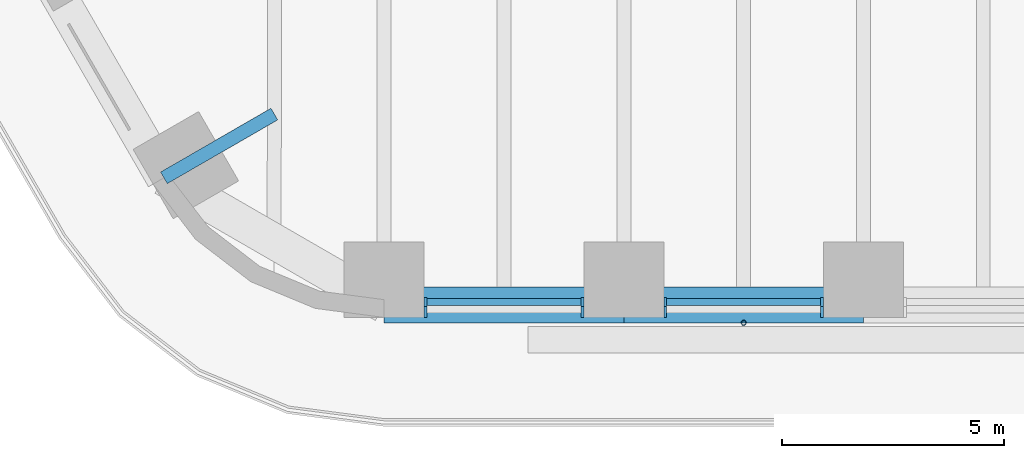
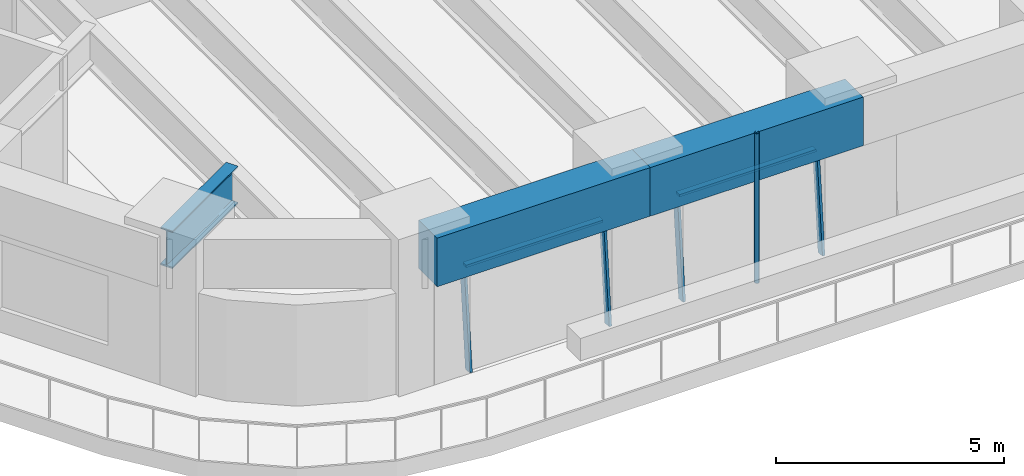
# One storey, part 2 of 23: 7 members, 3 beams, 2 elements without a shape of their own.
"""IFC4 building model written with IfcOpenShell, lengths in metres."""

from ifc_helpers import new_model, si_unit, direction, frame, origin, origin_2d, place, context, subcontext, project, spatial, rectangle, hollow_circle, i_section, extrude, material, material_profile, profile_set, type_object, element, aggregate, save


model = new_model("IFC4")

# Units and contexts
model_context = context("Model", 3, precision=1e-05, world=origin(), true_north=direction((0.0, 1.0)))
body_context = subcontext(model_context, "Body", "Model", "MODEL_VIEW")
ifc_project = project(units=[si_unit("LENGTHUNIT", "METRE"), si_unit("AREAUNIT", "SQUARE_METRE"), si_unit("VOLUMEUNIT", "CUBIC_METRE"), si_unit("PLANEANGLEUNIT", "RADIAN"), si_unit("MASSUNIT", "GRAM", prefix="KILO")], contexts=[model_context])

# Site, building, storey
site_placement = place(None, origin())
site = spatial("IfcSite", under=ifc_project, at=site_placement, CompositionType="ELEMENT")
building_placement = place(site_placement, origin())
building = spatial("IfcBuilding", under=site, at=building_placement, Name="Tarfa Lantern Tower", CompositionType="ELEMENT")
storey_placement = place(building_placement, frame((0.0, 0.0, 86.5)))
storey = spatial("IfcBuildingStorey", under=building, at=storey_placement, Name="L19", CompositionType="ELEMENT", Elevation=86.5)

# Curtain wall, members
ifc_material_1 = material(Name="Aluminium framed curtain wall", Category="aluminium")
curtain_wall_type = type_object("IfcCurtainWallType", Name="CW1 CANTED GLAZING LOW ZONE 2700", PredefinedType="USERDEFINED", material=ifc_material_1)
curtain_wall_1_placement = place(storey_placement, origin())
curtain_wall_1 = element("IfcCurtainWall", 1, at=curtain_wall_1_placement, inside=storey, type_object=curtain_wall_type, Name="CW1 S L19", ObjectType="CURTAIN WALL", PredefinedType="USERDEFINED")
ifc_material_2 = material(Name="Aluminium mullion", Category="aluminium")
ifc_material_profile_1 = material_profile(ifc_material_2, rectangle(XDim=0.06494140625, YDim=0.199951171875, at=origin_2d()), Name="AL MULLION 65x200")
ifc_profile_set_1 = profile_set([ifc_material_profile_1], Name="Aluminium mullion")
member_type_1 = type_object("IfcMemberType", Name="CWM1 MULLION 65x200", PredefinedType="MULLION", material=ifc_profile_set_1)
member_1_placement = place(storey_placement, frame((-15.2333984375, -33.89990234375, 0.0), z_axis=(0.0, 0.092199863775, 0.995740520979), x_axis=(-1.0, 0.0, 0.0)))
member_1 = element("IfcMember", 2, at=member_1_placement, type_object=member_type_1, Name="CW1 mullion 1", PredefinedType="MULLION", context=body_context, shape_type="SweptSolid", body=[
    extrude(rectangle(XDim=0.06494140625, YDim=0.199951171875, at=origin_2d()), origin(), (0.0, 0.0, 1.0), 2.71142578125),
])
member_2_placement = place(storey_placement, frame((-11.709716796875, -33.89990234375, 0.0), z_axis=(0.0, 0.092199863775, 0.995740520979), x_axis=(-1.0, 0.0, 0.0)))
member_2 = element("IfcMember", 3, at=member_2_placement, type_object=member_type_1, Name="CW1 mullion 2", PredefinedType="MULLION", context=body_context, shape_type="SweptSolid", body=[
    extrude(rectangle(XDim=0.06494140625, YDim=0.199951171875, at=origin_2d()), origin(), (0.0, 0.0, 1.0), 2.71142578125),
])

curtain_wall_2_placement = place(storey_placement, origin())
curtain_wall_2 = element("IfcCurtainWall", 4, at=curtain_wall_2_placement, inside=storey, type_object=curtain_wall_type, Name="CW1 S L19", ObjectType="CURTAIN WALL", PredefinedType="USERDEFINED")
member_3_placement = place(storey_placement, frame((-9.8447265625, -33.89990234375, 0.0), z_axis=(0.0, 0.092199863775, 0.995740520979), x_axis=(-1.0, 0.0, 0.0)))
member_3 = element("IfcMember", 5, at=member_3_placement, type_object=member_type_1, Name="CW1 mullion 1", PredefinedType="MULLION", context=body_context, shape_type="SweptSolid", body=[
    extrude(rectangle(XDim=0.06494140625, YDim=0.199951171875, at=origin_2d()), origin(), (0.0, 0.0, 1.0), 2.71142578125),
])
member_4_placement = place(storey_placement, frame((-6.321044921875, -33.89990234375, 0.0), z_axis=(0.0, 0.092199863775, 0.995740520979), x_axis=(-1.0, 0.0, 0.0)))
member_4 = element("IfcMember", 6, at=member_4_placement, type_object=member_type_1, Name="CW1 mullion 2", PredefinedType="MULLION", context=body_context, shape_type="SweptSolid", body=[
    extrude(rectangle(XDim=0.06494140625, YDim=0.199951171875, at=origin_2d()), origin(), (0.0, 0.0, 1.0), 2.71142578125),
])

# Member
ifc_material_3 = material(Name="Aluminium transom", Category="aluminium")
ifc_material_profile_2 = material_profile(ifc_material_3, rectangle(XDim=0.14990234375, YDim=0.06494140625, at=origin_2d()), Name="AL TRANSOM 150x65")
ifc_profile_set_2 = profile_set([ifc_material_profile_2], Name="Aluminium transom")
member_type_2 = type_object("IfcMemberType", Name="CWT1 TRANSOM 150x65", PredefinedType="USERDEFINED", material=ifc_profile_set_2)
member_5_placement = place(storey_placement, frame((-15.200927734375, -33.653076171875, 2.66748046875), z_axis=(1.0, 0.0, 0.0), x_axis=(0.0, 1.0, 0.0)))
member_5 = element("IfcMember", 7, at=member_5_placement, type_object=member_type_2, Name="CW1 transom 1.2", ObjectType="TRANSOM", PredefinedType="USERDEFINED", context=body_context, shape_type="SweptSolid", body=[
    extrude(rectangle(XDim=0.14990234375, YDim=0.06494140625, at=origin_2d()), origin(), (0.0, 0.0, 1.0), 3.458740234375),
])

aggregate(curtain_wall_1, [member_1, member_2, member_5])

member_6_placement = place(storey_placement, frame((-9.812255859375, -33.653076171875, 2.66748046875), z_axis=(1.0, 0.0, 0.0), x_axis=(0.0, 1.0, 0.0)))
member_6 = element("IfcMember", 8, at=member_6_placement, type_object=member_type_2, Name="CW1 transom 1.2", ObjectType="TRANSOM", PredefinedType="USERDEFINED", context=body_context, shape_type="SweptSolid", body=[
    extrude(rectangle(XDim=0.14990234375, YDim=0.06494140625, at=origin_2d()), origin(), (0.0, 0.0, 1.0), 3.458740234375),
])

aggregate(curtain_wall_2, [member_3, member_4, member_6])

# Beams
ifc_material_4 = material(Name="Concrete C80/95", Category="concrete")
ifc_material_profile_3 = material_profile(ifc_material_4, rectangle(XDim=0.800048828125, YDim=1.300048828125, at=origin_2d()), Name="RC 800x1300")
ifc_profile_set_3 = profile_set([ifc_material_profile_3], Name="Concrete C80/95")
beam_type_1 = type_object("IfcBeamType", Name="EB1 RC 800x1300", PredefinedType="SPANDREL", material=ifc_profile_set_3)
beam_1_placement = place(storey_placement, frame((-16.165771484375, -33.719970703125, 3.35009765625), z_axis=(1.0, 0.0, 0.0), x_axis=(0.0, 1.0, 0.0)))
element("IfcBeam", 9, at=beam_1_placement, inside=storey, type_object=beam_type_1, Name="Edge beam S0", PredefinedType="SPANDREL", context=body_context, shape_type="SweptSolid", body=[
    extrude(rectangle(XDim=0.800048828125, YDim=1.300048828125, at=origin_2d()), origin(), (0.0, 0.0, 1.0), 5.388671875),
])
beam_2_placement = place(storey_placement, frame((-10.777099609375, -33.719970703125, 3.35009765625), z_axis=(1.0, 0.0, 0.0), x_axis=(0.0, 1.0, 0.0)))
element("IfcBeam", 10, at=beam_2_placement, inside=storey, type_object=beam_type_1, Name="Edge beam S1", PredefinedType="SPANDREL", context=body_context, shape_type="SweptSolid", body=[
    extrude(rectangle(XDim=0.800048828125, YDim=1.300048828125, at=origin_2d()), origin(), (0.0, 0.0, 1.0), 5.388427734375),
])

# Member
ifc_material_5 = material(Name="Steel S355", Category="steel")
ifc_material_profile_4 = material_profile(ifc_material_5, hollow_circle(Radius=0.05712890625, WallThickness=0.00634765625, at=origin_2d()), Name="CHS114.3x6.3")
ifc_profile_set_4 = profile_set([ifc_material_profile_4], Name="Steel S355")
member_type_3 = type_object("IfcMemberType", Name="TR1 GREEN WALL TRELLIS CHS114.3x6.3", PredefinedType="USERDEFINED", material=ifc_profile_set_4)
member_7_placement = place(storey_placement, frame((-8.0830078125, -34.1201171875, 0.0), z_axis=(0.0, 0.0, 1.0), x_axis=(1.0, 0.0, 0.0)))
element("IfcMember", 11, at=member_7_placement, inside=storey, type_object=member_type_3, Name="Trellis post S 1", ObjectType="TRELLIS", PredefinedType="USERDEFINED", context=body_context, shape_type="SweptSolid", body=[
    extrude(hollow_circle(Radius=0.05712890625, WallThickness=0.00634765625, at=origin_2d()), origin(), (0.0, 0.0, 1.0), 4.0),
])

# Beam
ifc_material_6 = material(Name="Steel S460M", Category="steel")
ifc_material_profile_5 = material_profile(ifc_material_6, i_section(OverallWidth=0.302001953125, OverallDepth=1.008056640625, WebThickness=0.02099609375, FlangeThickness=0.0400390625, FilletRadius=0.030029296875, at=origin_2d()), Name="UB1016x305x349")
ifc_profile_set_5 = profile_set([ifc_material_profile_5], Name="Steel S460M")
beam_type_2 = type_object("IfcBeamType", Name="UB1016x305x349", PredefinedType="BEAM", material=ifc_profile_set_5)
beam_3_placement = place(storey_placement, frame((-21.119384765625, -30.860107421875, 3.495849609375), z_axis=(0.866012580594, 0.500022209759, 0.0), x_axis=(-0.500022209759, 0.866012580594, 0.0)))
element("IfcBeam", 12, at=beam_3_placement, inside=storey, type_object=beam_type_2, Name="Floor beam SW6", PredefinedType="BEAM", context=body_context, shape_type="SweptSolid", body=[
    extrude(i_section(OverallWidth=0.302001953125, OverallDepth=1.008056640625, WebThickness=0.02099609375, FlangeThickness=0.0400390625, FilletRadius=0.030029296875, at=origin_2d()), origin(), (0.0, 0.0, 1.0), 2.866943359375),
])

save(model, "model.ifc")
